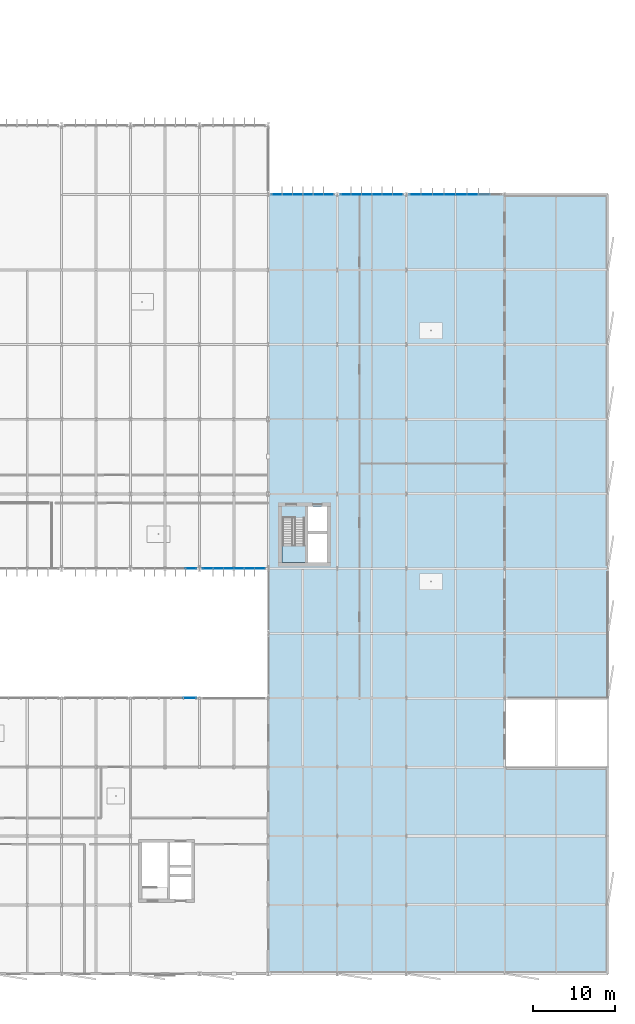
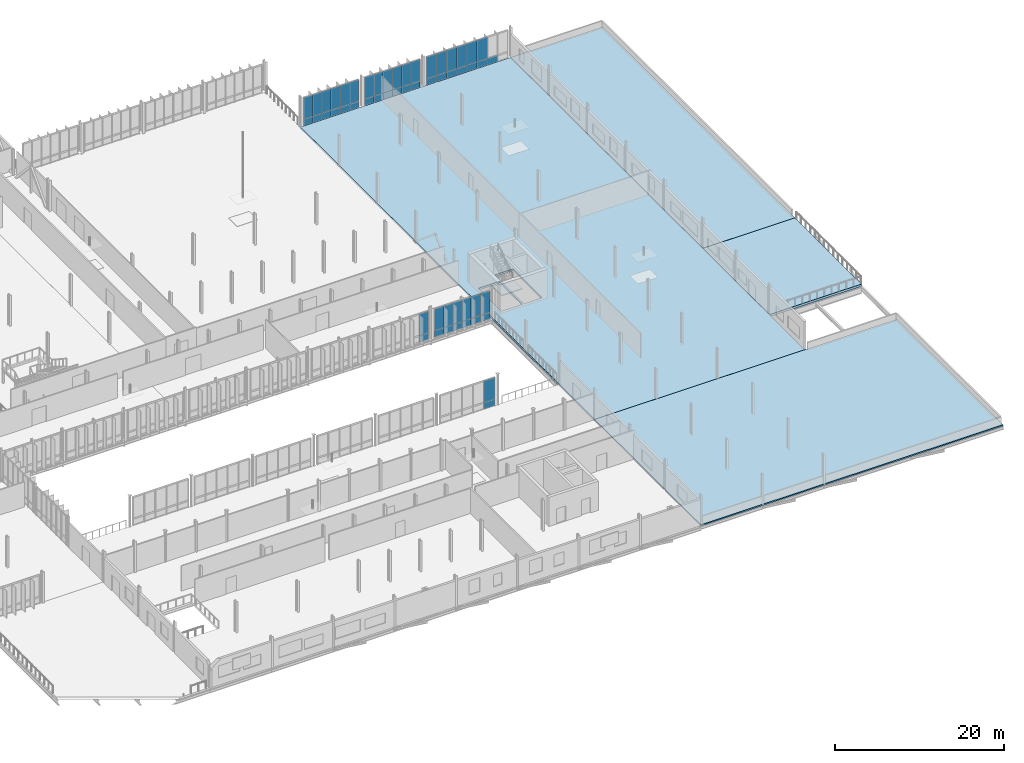
# One storey, part 94 of 139: 53 plates, 5 slabs, 8 elements without a shape of their own.
"""IFC4 building model written with IfcOpenShell, lengths in metres."""

from ifc_helpers import new_model, si_unit, derived_unit, direction, frame, origin, origin_2d, place, context, subcontext, project, spatial, polyline, rectangle, outline, extrude, material, layer, layer_set, type_object, element, aggregate, save


model = new_model("IFC4")

# Units and contexts
model_context = context("Model", 3, precision=1e-05, world=origin(), true_north=direction((0.0, 1.0)))
body_context = subcontext(model_context, "Body", "Model", "MODEL_VIEW")
ifc_project = project(units=[si_unit("LENGTHUNIT", "METRE"), si_unit("AREAUNIT", "SQUARE_METRE"), si_unit("VOLUMEUNIT", "CUBIC_METRE"), si_unit("PLANEANGLEUNIT", "RADIAN"), si_unit("MASSUNIT", "GRAM", prefix="KILO"), derived_unit("THERMALTRANSMITTANCEUNIT", [(si_unit("MASSUNIT", "GRAM", prefix="KILO"), 1), (si_unit("TIMEUNIT", "SECOND"), -3), (si_unit("THERMODYNAMICTEMPERATUREUNIT", "KELVIN"), -1)])], contexts=[model_context])

# Site, building, storey
site_placement = place(None, origin())
site = spatial("IfcSite", under=ifc_project, at=site_placement, CompositionType="ELEMENT")
building_placement = place(site_placement, origin())
building = spatial("IfcBuilding", under=site, at=building_placement, Name="Makaiwela Harbour Ferry Terminal", CompositionType="ELEMENT")
storey_placement = place(building_placement, frame((0.0, 0.0, 5.10009765625)))
storey = spatial("IfcBuildingStorey", under=building, at=storey_placement, Name="L01", CompositionType="ELEMENT", Elevation=5.10009765625)

# Curtain wall, plate
ifc_material_1 = material(Name="Marine anodised aluminium 6063-T6", Category="aluminium")
ifc_layer_1 = layer(ifc_material_1, 0.199951171875)
ifc_layer_set_1 = layer_set([ifc_layer_1], Name="Marine anodised aluminium 6063-T6")
curtain_wall_type_1 = type_object("IfcCurtainWallType", Name="ENV-CW-08", PredefinedType="USERDEFINED", material=ifc_layer_set_1)
curtain_wall_1_placement = place(storey_placement, origin())
curtain_wall_1 = element("IfcCurtainWall", 1, at=curtain_wall_1_placement, inside=storey, type_object=curtain_wall_type_1, Name="Unitised Curtain Wall CWA-092", ObjectType="UNITIZED CURTAIN WALL", PredefinedType="USERDEFINED")
ifc_material_2 = material(Name="Laminated hurricane-impact low-E insulated glazing", Category="glass")
ifc_layer_2 = layer(ifc_material_2, 0.031982421875)
ifc_layer_set_2 = layer_set([ifc_layer_2], Name="Laminated hurricane-impact low-E insulated glazing")
plate_type_1 = type_object("IfcPlateType", Name="CW-PNL-G12", PredefinedType="CURTAIN_PANEL", material=ifc_layer_set_2)
plate_1_placement = place(storey_placement, frame((129.14990234375, 49.39990234375, 0.949951171875), z_axis=(0.0, 0.0, 1.0), x_axis=(-1.0, 0.0, 0.0)))
plate_1 = element("IfcPlate", 2, at=plate_1_placement, type_object=plate_type_1, Name="Glazed Vision Panel CWA-092-1G", PredefinedType="CURTAIN_PANEL", context=body_context, shape_type="SweptSolid", body=[
    extrude(rectangle(XDim=1.260009765625, YDim=0.031982421875, at=origin_2d()), origin(), (0.0, 0.0, 1.0), 3.14990234375),
])

# Curtain wall, plates
curtain_wall_2_placement = place(storey_placement, origin())
curtain_wall_2 = element("IfcCurtainWall", 3, at=curtain_wall_2_placement, inside=storey, type_object=curtain_wall_type_1, Name="Unitised Curtain Wall CWA-095", ObjectType="UNITIZED CURTAIN WALL", PredefinedType="USERDEFINED")
plate_2_placement = place(storey_placement, frame((137.550048828125, 49.39990234375, 0.949951171875), z_axis=(0.0, 0.0, 1.0), x_axis=(-1.0, 0.0, 0.0)))
plate_2 = element("IfcPlate", 4, at=plate_2_placement, type_object=plate_type_1, Name="Glazed Vision Panel CWA-095-1G", PredefinedType="CURTAIN_PANEL", context=body_context, shape_type="SweptSolid", body=[
    extrude(rectangle(XDim=1.260009765625, YDim=0.031982421875, at=origin_2d()), origin(), (0.0, 0.0, 1.0), 3.14990234375),
])
plate_3_placement = place(storey_placement, frame((136.2900390625, 49.39990234375, 0.949951171875), z_axis=(0.0, 0.0, 1.0), x_axis=(-1.0, 0.0, 0.0)))
plate_3 = element("IfcPlate", 5, at=plate_3_placement, type_object=plate_type_1, Name="Glazed Vision Panel CWA-095-2G", PredefinedType="CURTAIN_PANEL", context=body_context, shape_type="SweptSolid", body=[
    extrude(rectangle(XDim=1.260009765625, YDim=0.031982421875, at=origin_2d()), origin(), (0.0, 0.0, 1.0), 3.14990234375),
])
plate_4_placement = place(storey_placement, frame((135.030029296875, 49.39990234375, 0.949951171875), z_axis=(0.0, 0.0, 1.0), x_axis=(-1.0, 0.0, 0.0)))
plate_4 = element("IfcPlate", 6, at=plate_4_placement, type_object=plate_type_1, Name="Glazed Vision Panel CWA-095-3G", PredefinedType="CURTAIN_PANEL", context=body_context, shape_type="SweptSolid", body=[
    extrude(rectangle(XDim=1.260009765625, YDim=0.031982421875, at=origin_2d()), origin(), (0.0, 0.0, 1.0), 3.14990234375),
])
plate_5_placement = place(storey_placement, frame((133.77001953125, 49.39990234375, 0.949951171875), z_axis=(0.0, 0.0, 1.0), x_axis=(-1.0, 0.0, 0.0)))
plate_5 = element("IfcPlate", 7, at=plate_5_placement, type_object=plate_type_1, Name="Glazed Vision Panel CWA-095-4G", PredefinedType="CURTAIN_PANEL", context=body_context, shape_type="SweptSolid", body=[
    extrude(rectangle(XDim=1.260009765625, YDim=0.031982421875, at=origin_2d()), origin(), (0.0, 0.0, 1.0), 3.14990234375),
])
plate_6_placement = place(storey_placement, frame((132.510009765625, 49.39990234375, 0.949951171875), z_axis=(0.0, 0.0, 1.0), x_axis=(-1.0, 0.0, 0.0)))
plate_6 = element("IfcPlate", 8, at=plate_6_placement, type_object=plate_type_1, Name="Glazed Vision Panel CWA-095-5G", PredefinedType="CURTAIN_PANEL", context=body_context, shape_type="SweptSolid", body=[
    extrude(rectangle(XDim=1.260009765625, YDim=0.031982421875, at=origin_2d()), origin(), (0.0, 0.0, 1.0), 3.14990234375),
])
plate_7_placement = place(storey_placement, frame((131.25, 49.39990234375, 0.949951171875), z_axis=(0.0, 0.0, 1.0), x_axis=(-1.0, 0.0, 0.0)))
plate_7 = element("IfcPlate", 9, at=plate_7_placement, type_object=plate_type_1, Name="Glazed Vision Panel CWA-095-6G", PredefinedType="CURTAIN_PANEL", context=body_context, shape_type="SweptSolid", body=[
    extrude(rectangle(XDim=1.260009765625, YDim=0.031982421875, at=origin_2d()), origin(), (0.0, 0.0, 1.0), 3.14990234375),
])

curtain_wall_3_placement = place(storey_placement, origin())
curtain_wall_3 = element("IfcCurtainWall", 10, at=curtain_wall_3_placement, inside=storey, type_object=curtain_wall_type_1, Name="Unitised Curtain Wall CWA-121", ObjectType="UNITIZED CURTAIN WALL", PredefinedType="USERDEFINED")
plate_8_placement = place(storey_placement, frame((139.64990234375, 95.0, 0.949951171875), z_axis=(0.0, 0.0, 1.0), x_axis=(1.0, 0.0, 0.0)))
plate_8 = element("IfcPlate", 11, at=plate_8_placement, type_object=plate_type_1, Name="Glazed Vision Panel CWA-121-1G", PredefinedType="CURTAIN_PANEL", context=body_context, shape_type="SweptSolid", body=[
    extrude(rectangle(XDim=1.260009765625, YDim=0.031982421875, at=origin_2d()), origin(), (0.0, 0.0, 1.0), 3.14990234375),
])
plate_9_placement = place(storey_placement, frame((140.909912109375, 95.0, 0.949951171875), z_axis=(0.0, 0.0, 1.0), x_axis=(1.0, 0.0, 0.0)))
plate_9 = element("IfcPlate", 12, at=plate_9_placement, type_object=plate_type_1, Name="Glazed Vision Panel CWA-121-2G", PredefinedType="CURTAIN_PANEL", context=body_context, shape_type="SweptSolid", body=[
    extrude(rectangle(XDim=1.260009765625, YDim=0.031982421875, at=origin_2d()), origin(), (0.0, 0.0, 1.0), 3.14990234375),
])
plate_10_placement = place(storey_placement, frame((142.169921875, 95.0, 0.949951171875), z_axis=(0.0, 0.0, 1.0), x_axis=(1.0, 0.0, 0.0)))
plate_10 = element("IfcPlate", 13, at=plate_10_placement, type_object=plate_type_1, Name="Glazed Vision Panel CWA-121-3G", PredefinedType="CURTAIN_PANEL", context=body_context, shape_type="SweptSolid", body=[
    extrude(rectangle(XDim=1.260009765625, YDim=0.031982421875, at=origin_2d()), origin(), (0.0, 0.0, 1.0), 3.14990234375),
])
plate_11_placement = place(storey_placement, frame((143.429931640625, 95.0, 0.949951171875), z_axis=(0.0, 0.0, 1.0), x_axis=(1.0, 0.0, 0.0)))
plate_11 = element("IfcPlate", 14, at=plate_11_placement, type_object=plate_type_1, Name="Glazed Vision Panel CWA-121-4G", PredefinedType="CURTAIN_PANEL", context=body_context, shape_type="SweptSolid", body=[
    extrude(rectangle(XDim=1.260009765625, YDim=0.031982421875, at=origin_2d()), origin(), (0.0, 0.0, 1.0), 3.14990234375),
])
plate_12_placement = place(storey_placement, frame((144.68994140625, 95.0, 0.949951171875), z_axis=(0.0, 0.0, 1.0), x_axis=(1.0, 0.0, 0.0)))
plate_12 = element("IfcPlate", 15, at=plate_12_placement, type_object=plate_type_1, Name="Glazed Vision Panel CWA-121-5G", PredefinedType="CURTAIN_PANEL", context=body_context, shape_type="SweptSolid", body=[
    extrude(rectangle(XDim=1.260009765625, YDim=0.031982421875, at=origin_2d()), origin(), (0.0, 0.0, 1.0), 3.14990234375),
])
plate_13_placement = place(storey_placement, frame((145.949951171875, 95.0, 0.949951171875), z_axis=(0.0, 0.0, 1.0), x_axis=(1.0, 0.0, 0.0)))
plate_13 = element("IfcPlate", 16, at=plate_13_placement, type_object=plate_type_1, Name="Glazed Vision Panel CWA-121-6G", PredefinedType="CURTAIN_PANEL", context=body_context, shape_type="SweptSolid", body=[
    extrude(rectangle(XDim=1.260009765625, YDim=0.031982421875, at=origin_2d()), origin(), (0.0, 0.0, 1.0), 3.14990234375),
])

curtain_wall_4_placement = place(storey_placement, origin())
curtain_wall_4 = element("IfcCurtainWall", 17, at=curtain_wall_4_placement, inside=storey, type_object=curtain_wall_type_1, Name="Unitised Curtain Wall CWA-125", ObjectType="UNITIZED CURTAIN WALL", PredefinedType="USERDEFINED")
plate_14_placement = place(storey_placement, frame((148.050048828125, 95.0, 0.949951171875), z_axis=(0.0, 0.0, 1.0), x_axis=(1.0, 0.0, 0.0)))
plate_14 = element("IfcPlate", 18, at=plate_14_placement, type_object=plate_type_1, Name="Glazed Vision Panel CWA-125-1G", PredefinedType="CURTAIN_PANEL", context=body_context, shape_type="SweptSolid", body=[
    extrude(rectangle(XDim=1.260009765625, YDim=0.031982421875, at=origin_2d()), origin(), (0.0, 0.0, 1.0), 3.14990234375),
])
plate_15_placement = place(storey_placement, frame((149.31005859375, 95.0, 0.949951171875), z_axis=(0.0, 0.0, 1.0), x_axis=(1.0, 0.0, 0.0)))
plate_15 = element("IfcPlate", 19, at=plate_15_placement, type_object=plate_type_1, Name="Glazed Vision Panel CWA-125-2G", PredefinedType="CURTAIN_PANEL", context=body_context, shape_type="SweptSolid", body=[
    extrude(rectangle(XDim=1.260009765625, YDim=0.031982421875, at=origin_2d()), origin(), (0.0, 0.0, 1.0), 3.14990234375),
])
plate_16_placement = place(storey_placement, frame((150.570068359375, 95.0, 0.949951171875), z_axis=(0.0, 0.0, 1.0), x_axis=(1.0, 0.0, 0.0)))
plate_16 = element("IfcPlate", 20, at=plate_16_placement, type_object=plate_type_1, Name="Glazed Vision Panel CWA-125-3G", PredefinedType="CURTAIN_PANEL", context=body_context, shape_type="SweptSolid", body=[
    extrude(rectangle(XDim=1.260009765625, YDim=0.031982421875, at=origin_2d()), origin(), (0.0, 0.0, 1.0), 3.14990234375),
])
plate_17_placement = place(storey_placement, frame((151.830078125, 95.0, 0.949951171875), z_axis=(0.0, 0.0, 1.0), x_axis=(1.0, 0.0, 0.0)))
plate_17 = element("IfcPlate", 21, at=plate_17_placement, type_object=plate_type_1, Name="Glazed Vision Panel CWA-125-4G", PredefinedType="CURTAIN_PANEL", context=body_context, shape_type="SweptSolid", body=[
    extrude(rectangle(XDim=1.260009765625, YDim=0.031982421875, at=origin_2d()), origin(), (0.0, 0.0, 1.0), 3.14990234375),
])
plate_18_placement = place(storey_placement, frame((153.090087890625, 95.0, 0.949951171875), z_axis=(0.0, 0.0, 1.0), x_axis=(1.0, 0.0, 0.0)))
plate_18 = element("IfcPlate", 22, at=plate_18_placement, type_object=plate_type_1, Name="Glazed Vision Panel CWA-125-5G", PredefinedType="CURTAIN_PANEL", context=body_context, shape_type="SweptSolid", body=[
    extrude(rectangle(XDim=1.260009765625, YDim=0.031982421875, at=origin_2d()), origin(), (0.0, 0.0, 1.0), 3.14990234375),
])
plate_19_placement = place(storey_placement, frame((154.35009765625, 95.0, 0.949951171875), z_axis=(0.0, 0.0, 1.0), x_axis=(1.0, 0.0, 0.0)))
plate_19 = element("IfcPlate", 23, at=plate_19_placement, type_object=plate_type_1, Name="Glazed Vision Panel CWA-125-6G", PredefinedType="CURTAIN_PANEL", context=body_context, shape_type="SweptSolid", body=[
    extrude(rectangle(XDim=1.260009765625, YDim=0.031982421875, at=origin_2d()), origin(), (0.0, 0.0, 1.0), 3.14990234375),
])

ifc_layer_3 = layer(ifc_material_1, 0.199951171875)
ifc_layer_set_3 = layer_set([ifc_layer_3], Name="Marine anodised aluminium 6063-T6")
curtain_wall_type_2 = type_object("IfcCurtainWallType", Name="ENV-CW-17", PredefinedType="USERDEFINED", material=ifc_layer_set_3)
curtain_wall_5_placement = place(storey_placement, origin())
curtain_wall_5 = element("IfcCurtainWall", 24, at=curtain_wall_5_placement, inside=storey, type_object=curtain_wall_type_2, Name="Unitised Curtain Wall CWA-129", ObjectType="UNITIZED CURTAIN WALL", PredefinedType="USERDEFINED")
ifc_layer_4 = layer(ifc_material_2, 0.031982421875)
ifc_layer_set_4 = layer_set([ifc_layer_4], Name="Laminated hurricane-impact low-E insulated glazing")
plate_type_2 = type_object("IfcPlateType", Name="CW-PNL-G23", PredefinedType="CURTAIN_PANEL", material=ifc_layer_set_4)
plate_20_placement = place(storey_placement, frame((156.517578125, 95.0, 0.949951171875), z_axis=(0.0, 0.0, 1.0), x_axis=(1.0, 0.0, 0.0)))
plate_20 = element("IfcPlate", 25, at=plate_20_placement, type_object=plate_type_2, Name="Glazed Vision Panel CWA-129-1G", PredefinedType="CURTAIN_PANEL", context=body_context, shape_type="SweptSolid", body=[
    extrude(rectangle(XDim=1.39501953125, YDim=0.031982421875, at=origin_2d()), origin(), (0.0, 0.0, 1.0), 3.14990234375),
])
plate_21_placement = place(storey_placement, frame((157.91259765625, 95.0, 0.949951171875), z_axis=(0.0, 0.0, 1.0), x_axis=(1.0, 0.0, 0.0)))
plate_21 = element("IfcPlate", 26, at=plate_21_placement, type_object=plate_type_2, Name="Glazed Vision Panel CWA-129-2G", PredefinedType="CURTAIN_PANEL", context=body_context, shape_type="SweptSolid", body=[
    extrude(rectangle(XDim=1.39501953125, YDim=0.031982421875, at=origin_2d()), origin(), (0.0, 0.0, 1.0), 3.14990234375),
])
plate_22_placement = place(storey_placement, frame((159.3076171875, 95.0, 0.949951171875), z_axis=(0.0, 0.0, 1.0), x_axis=(1.0, 0.0, 0.0)))
plate_22 = element("IfcPlate", 27, at=plate_22_placement, type_object=plate_type_2, Name="Glazed Vision Panel CWA-129-3G", PredefinedType="CURTAIN_PANEL", context=body_context, shape_type="SweptSolid", body=[
    extrude(rectangle(XDim=1.39501953125, YDim=0.031982421875, at=origin_2d()), origin(), (0.0, 0.0, 1.0), 3.14990234375),
])
plate_23_placement = place(storey_placement, frame((160.702392578125, 95.0, 0.949951171875), z_axis=(0.0, 0.0, 1.0), x_axis=(1.0, 0.0, 0.0)))
plate_23 = element("IfcPlate", 28, at=plate_23_placement, type_object=plate_type_2, Name="Glazed Vision Panel CWA-129-4G", PredefinedType="CURTAIN_PANEL", context=body_context, shape_type="SweptSolid", body=[
    extrude(rectangle(XDim=1.39501953125, YDim=0.031982421875, at=origin_2d()), origin(), (0.0, 0.0, 1.0), 3.14990234375),
])
plate_24_placement = place(storey_placement, frame((162.097412109375, 95.0, 0.949951171875), z_axis=(0.0, 0.0, 1.0), x_axis=(1.0, 0.0, 0.0)))
plate_24 = element("IfcPlate", 29, at=plate_24_placement, type_object=plate_type_2, Name="Glazed Vision Panel CWA-129-5G", PredefinedType="CURTAIN_PANEL", context=body_context, shape_type="SweptSolid", body=[
    extrude(rectangle(XDim=1.39501953125, YDim=0.031982421875, at=origin_2d()), origin(), (0.0, 0.0, 1.0), 3.14990234375),
])
plate_25_placement = place(storey_placement, frame((163.492431640625, 95.0, 0.949951171875), z_axis=(0.0, 0.0, 1.0), x_axis=(1.0, 0.0, 0.0)))
plate_25 = element("IfcPlate", 30, at=plate_25_placement, type_object=plate_type_2, Name="Glazed Vision Panel CWA-129-6G", PredefinedType="CURTAIN_PANEL", context=body_context, shape_type="SweptSolid", body=[
    extrude(rectangle(XDim=1.39501953125, YDim=0.031982421875, at=origin_2d()), origin(), (0.0, 0.0, 1.0), 3.14990234375),
])

# Curtain wall, plate
curtain_wall_6_placement = place(storey_placement, origin())
curtain_wall_6 = element("IfcCurtainWall", 31, at=curtain_wall_6_placement, inside=storey, type_object=curtain_wall_type_1, Name="Unitised Curtain Wall CWA-151", ObjectType="UNITIZED CURTAIN WALL", PredefinedType="USERDEFINED")
ifc_layer_5 = layer(ifc_material_2, 0.031982421875)
ifc_layer_set_5 = layer_set([ifc_layer_5], Name="Laminated hurricane-impact low-E insulated glazing")
plate_type_3 = type_object("IfcPlateType", Name="CW-PNL-G32", PredefinedType="CURTAIN_PANEL", material=ifc_layer_set_5)
plate_26_placement = place(storey_placement, frame((129.02392578125, 33.60009765625, 0.949951171875), z_axis=(0.0, 0.0, 1.0), x_axis=(-1.0, 0.0, 0.0)))
plate_26 = element("IfcPlate", 32, at=plate_26_placement, type_object=plate_type_3, Name="Glazed Vision Panel CWA-151-1G", PredefinedType="CURTAIN_PANEL", context=body_context, shape_type="SweptSolid", body=[
    extrude(rectangle(XDim=1.511962890625, YDim=0.031982421875, at=origin_2d()), origin(), (0.0, 0.0, 1.0), 3.14990234375),
])

# Plate
ifc_material_3 = material(Name="Insulated marine aluminium spandrel panel", Category="aluminium")
ifc_layer_6 = layer(ifc_material_3, 0.048095703125)
ifc_layer_set_6 = layer_set([ifc_layer_6], Name="Insulated marine aluminium spandrel panel")
plate_type_4 = type_object("IfcPlateType", Name="CW-PNL-S11", PredefinedType="CURTAIN_PANEL", material=ifc_layer_set_6)
plate_27_placement = place(storey_placement, frame((129.14990234375, 49.39990234375, 0.0), z_axis=(0.0, 0.0, 1.0), x_axis=(-1.0, 0.0, 0.0)))
plate_27 = element("IfcPlate", 33, at=plate_27_placement, type_object=plate_type_4, Name="Spandrel Panel CWA-092-1S", PredefinedType="CURTAIN_PANEL", context=body_context, shape_type="SweptSolid", body=[
    extrude(rectangle(XDim=1.260009765625, YDim=0.048095703125, at=origin_2d()), origin(), (0.0, 0.0, 1.0), 0.949951171875),
])

aggregate(curtain_wall_1, [plate_27, plate_1])

plate_28_placement = place(storey_placement, frame((137.550048828125, 49.39990234375, 0.0), z_axis=(0.0, 0.0, 1.0), x_axis=(-1.0, 0.0, 0.0)))
plate_28 = element("IfcPlate", 34, at=plate_28_placement, type_object=plate_type_4, Name="Spandrel Panel CWA-095-1S", PredefinedType="CURTAIN_PANEL", context=body_context, shape_type="SweptSolid", body=[
    extrude(rectangle(XDim=1.260009765625, YDim=0.048095703125, at=origin_2d()), origin(), (0.0, 0.0, 1.0), 0.949951171875),
])

plate_29_placement = place(storey_placement, frame((136.2900390625, 49.39990234375, 0.0), z_axis=(0.0, 0.0, 1.0), x_axis=(-1.0, 0.0, 0.0)))
plate_29 = element("IfcPlate", 35, at=plate_29_placement, type_object=plate_type_4, Name="Spandrel Panel CWA-095-2S", PredefinedType="CURTAIN_PANEL", context=body_context, shape_type="SweptSolid", body=[
    extrude(rectangle(XDim=1.260009765625, YDim=0.048095703125, at=origin_2d()), origin(), (0.0, 0.0, 1.0), 0.949951171875),
])

plate_30_placement = place(storey_placement, frame((135.030029296875, 49.39990234375, 0.0), z_axis=(0.0, 0.0, 1.0), x_axis=(-1.0, 0.0, 0.0)))
plate_30 = element("IfcPlate", 36, at=plate_30_placement, type_object=plate_type_4, Name="Spandrel Panel CWA-095-3S", PredefinedType="CURTAIN_PANEL", context=body_context, shape_type="SweptSolid", body=[
    extrude(rectangle(XDim=1.260009765625, YDim=0.048095703125, at=origin_2d()), origin(), (0.0, 0.0, 1.0), 0.949951171875),
])

plate_31_placement = place(storey_placement, frame((133.77001953125, 49.39990234375, 0.0), z_axis=(0.0, 0.0, 1.0), x_axis=(-1.0, 0.0, 0.0)))
plate_31 = element("IfcPlate", 37, at=plate_31_placement, type_object=plate_type_4, Name="Spandrel Panel CWA-095-4S", PredefinedType="CURTAIN_PANEL", context=body_context, shape_type="SweptSolid", body=[
    extrude(rectangle(XDim=1.260009765625, YDim=0.048095703125, at=origin_2d()), origin(), (0.0, 0.0, 1.0), 0.949951171875),
])

plate_32_placement = place(storey_placement, frame((132.510009765625, 49.39990234375, 0.0), z_axis=(0.0, 0.0, 1.0), x_axis=(-1.0, 0.0, 0.0)))
plate_32 = element("IfcPlate", 38, at=plate_32_placement, type_object=plate_type_4, Name="Spandrel Panel CWA-095-5S", PredefinedType="CURTAIN_PANEL", context=body_context, shape_type="SweptSolid", body=[
    extrude(rectangle(XDim=1.260009765625, YDim=0.048095703125, at=origin_2d()), origin(), (0.0, 0.0, 1.0), 0.949951171875),
])

plate_33_placement = place(storey_placement, frame((131.25, 49.39990234375, 0.0), z_axis=(0.0, 0.0, 1.0), x_axis=(-1.0, 0.0, 0.0)))
plate_33 = element("IfcPlate", 39, at=plate_33_placement, type_object=plate_type_4, Name="Spandrel Panel CWA-095-6S", PredefinedType="CURTAIN_PANEL", context=body_context, shape_type="SweptSolid", body=[
    extrude(rectangle(XDim=1.260009765625, YDim=0.048095703125, at=origin_2d()), origin(), (0.0, 0.0, 1.0), 0.949951171875),
])

aggregate(curtain_wall_2, [plate_28, plate_2, plate_29, plate_3, plate_30, plate_4, plate_31, plate_5, plate_32, plate_6, plate_33, plate_7])

plate_34_placement = place(storey_placement, frame((139.64990234375, 95.0, 0.0), z_axis=(0.0, 0.0, 1.0), x_axis=(1.0, 0.0, 0.0)))
plate_34 = element("IfcPlate", 40, at=plate_34_placement, type_object=plate_type_4, Name="Spandrel Panel CWA-121-1S", PredefinedType="CURTAIN_PANEL", context=body_context, shape_type="SweptSolid", body=[
    extrude(rectangle(XDim=1.260009765625, YDim=0.048095703125, at=origin_2d()), origin(), (0.0, 0.0, 1.0), 0.949951171875),
])

plate_35_placement = place(storey_placement, frame((140.909912109375, 95.0, 0.0), z_axis=(0.0, 0.0, 1.0), x_axis=(1.0, 0.0, 0.0)))
plate_35 = element("IfcPlate", 41, at=plate_35_placement, type_object=plate_type_4, Name="Spandrel Panel CWA-121-2S", PredefinedType="CURTAIN_PANEL", context=body_context, shape_type="SweptSolid", body=[
    extrude(rectangle(XDim=1.260009765625, YDim=0.048095703125, at=origin_2d()), origin(), (0.0, 0.0, 1.0), 0.949951171875),
])

plate_36_placement = place(storey_placement, frame((142.169921875, 95.0, 0.0), z_axis=(0.0, 0.0, 1.0), x_axis=(1.0, 0.0, 0.0)))
plate_36 = element("IfcPlate", 42, at=plate_36_placement, type_object=plate_type_4, Name="Spandrel Panel CWA-121-3S", PredefinedType="CURTAIN_PANEL", context=body_context, shape_type="SweptSolid", body=[
    extrude(rectangle(XDim=1.260009765625, YDim=0.048095703125, at=origin_2d()), origin(), (0.0, 0.0, 1.0), 0.949951171875),
])

plate_37_placement = place(storey_placement, frame((143.429931640625, 95.0, 0.0), z_axis=(0.0, 0.0, 1.0), x_axis=(1.0, 0.0, 0.0)))
plate_37 = element("IfcPlate", 43, at=plate_37_placement, type_object=plate_type_4, Name="Spandrel Panel CWA-121-4S", PredefinedType="CURTAIN_PANEL", context=body_context, shape_type="SweptSolid", body=[
    extrude(rectangle(XDim=1.260009765625, YDim=0.048095703125, at=origin_2d()), origin(), (0.0, 0.0, 1.0), 0.949951171875),
])

plate_38_placement = place(storey_placement, frame((144.68994140625, 95.0, 0.0), z_axis=(0.0, 0.0, 1.0), x_axis=(1.0, 0.0, 0.0)))
plate_38 = element("IfcPlate", 44, at=plate_38_placement, type_object=plate_type_4, Name="Spandrel Panel CWA-121-5S", PredefinedType="CURTAIN_PANEL", context=body_context, shape_type="SweptSolid", body=[
    extrude(rectangle(XDim=1.260009765625, YDim=0.048095703125, at=origin_2d()), origin(), (0.0, 0.0, 1.0), 0.949951171875),
])

plate_39_placement = place(storey_placement, frame((145.949951171875, 95.0, 0.0), z_axis=(0.0, 0.0, 1.0), x_axis=(1.0, 0.0, 0.0)))
plate_39 = element("IfcPlate", 45, at=plate_39_placement, type_object=plate_type_4, Name="Spandrel Panel CWA-121-6S", PredefinedType="CURTAIN_PANEL", context=body_context, shape_type="SweptSolid", body=[
    extrude(rectangle(XDim=1.260009765625, YDim=0.048095703125, at=origin_2d()), origin(), (0.0, 0.0, 1.0), 0.949951171875),
])

aggregate(curtain_wall_3, [plate_34, plate_8, plate_35, plate_9, plate_36, plate_10, plate_37, plate_11, plate_38, plate_12, plate_39, plate_13])

plate_40_placement = place(storey_placement, frame((148.050048828125, 95.0, 0.0), z_axis=(0.0, 0.0, 1.0), x_axis=(1.0, 0.0, 0.0)))
plate_40 = element("IfcPlate", 46, at=plate_40_placement, type_object=plate_type_4, Name="Spandrel Panel CWA-125-1S", PredefinedType="CURTAIN_PANEL", context=body_context, shape_type="SweptSolid", body=[
    extrude(rectangle(XDim=1.260009765625, YDim=0.048095703125, at=origin_2d()), origin(), (0.0, 0.0, 1.0), 0.949951171875),
])

plate_41_placement = place(storey_placement, frame((149.31005859375, 95.0, 0.0), z_axis=(0.0, 0.0, 1.0), x_axis=(1.0, 0.0, 0.0)))
plate_41 = element("IfcPlate", 47, at=plate_41_placement, type_object=plate_type_4, Name="Spandrel Panel CWA-125-2S", PredefinedType="CURTAIN_PANEL", context=body_context, shape_type="SweptSolid", body=[
    extrude(rectangle(XDim=1.260009765625, YDim=0.048095703125, at=origin_2d()), origin(), (0.0, 0.0, 1.0), 0.949951171875),
])

plate_42_placement = place(storey_placement, frame((150.570068359375, 95.0, 0.0), z_axis=(0.0, 0.0, 1.0), x_axis=(1.0, 0.0, 0.0)))
plate_42 = element("IfcPlate", 48, at=plate_42_placement, type_object=plate_type_4, Name="Spandrel Panel CWA-125-3S", PredefinedType="CURTAIN_PANEL", context=body_context, shape_type="SweptSolid", body=[
    extrude(rectangle(XDim=1.260009765625, YDim=0.048095703125, at=origin_2d()), origin(), (0.0, 0.0, 1.0), 0.949951171875),
])

plate_43_placement = place(storey_placement, frame((151.830078125, 95.0, 0.0), z_axis=(0.0, 0.0, 1.0), x_axis=(1.0, 0.0, 0.0)))
plate_43 = element("IfcPlate", 49, at=plate_43_placement, type_object=plate_type_4, Name="Spandrel Panel CWA-125-4S", PredefinedType="CURTAIN_PANEL", context=body_context, shape_type="SweptSolid", body=[
    extrude(rectangle(XDim=1.260009765625, YDim=0.048095703125, at=origin_2d()), origin(), (0.0, 0.0, 1.0), 0.949951171875),
])

plate_44_placement = place(storey_placement, frame((153.090087890625, 95.0, 0.0), z_axis=(0.0, 0.0, 1.0), x_axis=(1.0, 0.0, 0.0)))
plate_44 = element("IfcPlate", 50, at=plate_44_placement, type_object=plate_type_4, Name="Spandrel Panel CWA-125-5S", PredefinedType="CURTAIN_PANEL", context=body_context, shape_type="SweptSolid", body=[
    extrude(rectangle(XDim=1.260009765625, YDim=0.048095703125, at=origin_2d()), origin(), (0.0, 0.0, 1.0), 0.949951171875),
])

plate_45_placement = place(storey_placement, frame((154.35009765625, 95.0, 0.0), z_axis=(0.0, 0.0, 1.0), x_axis=(1.0, 0.0, 0.0)))
plate_45 = element("IfcPlate", 51, at=plate_45_placement, type_object=plate_type_4, Name="Spandrel Panel CWA-125-6S", PredefinedType="CURTAIN_PANEL", context=body_context, shape_type="SweptSolid", body=[
    extrude(rectangle(XDim=1.260009765625, YDim=0.048095703125, at=origin_2d()), origin(), (0.0, 0.0, 1.0), 0.949951171875),
])

aggregate(curtain_wall_4, [plate_40, plate_14, plate_41, plate_15, plate_42, plate_16, plate_43, plate_17, plate_44, plate_18, plate_45, plate_19])

ifc_layer_7 = layer(ifc_material_3, 0.048095703125)
ifc_layer_set_7 = layer_set([ifc_layer_7], Name="Insulated marine aluminium spandrel panel")
plate_type_5 = type_object("IfcPlateType", Name="CW-PNL-S21", PredefinedType="CURTAIN_PANEL", material=ifc_layer_set_7)
plate_46_placement = place(storey_placement, frame((156.517578125, 95.0, 0.0), z_axis=(0.0, 0.0, 1.0), x_axis=(1.0, 0.0, 0.0)))
plate_46 = element("IfcPlate", 52, at=plate_46_placement, type_object=plate_type_5, Name="Spandrel Panel CWA-129-1S", PredefinedType="CURTAIN_PANEL", context=body_context, shape_type="SweptSolid", body=[
    extrude(rectangle(XDim=1.39501953125, YDim=0.048095703125, at=origin_2d()), origin(), (0.0, 0.0, 1.0), 0.949951171875),
])

plate_47_placement = place(storey_placement, frame((157.91259765625, 95.0, 0.0), z_axis=(0.0, 0.0, 1.0), x_axis=(1.0, 0.0, 0.0)))
plate_47 = element("IfcPlate", 53, at=plate_47_placement, type_object=plate_type_5, Name="Spandrel Panel CWA-129-2S", PredefinedType="CURTAIN_PANEL", context=body_context, shape_type="SweptSolid", body=[
    extrude(rectangle(XDim=1.39501953125, YDim=0.048095703125, at=origin_2d()), origin(), (0.0, 0.0, 1.0), 0.949951171875),
])

plate_48_placement = place(storey_placement, frame((159.3076171875, 95.0, 0.0), z_axis=(0.0, 0.0, 1.0), x_axis=(1.0, 0.0, 0.0)))
plate_48 = element("IfcPlate", 54, at=plate_48_placement, type_object=plate_type_5, Name="Spandrel Panel CWA-129-3S", PredefinedType="CURTAIN_PANEL", context=body_context, shape_type="SweptSolid", body=[
    extrude(rectangle(XDim=1.39501953125, YDim=0.048095703125, at=origin_2d()), origin(), (0.0, 0.0, 1.0), 0.949951171875),
])

plate_49_placement = place(storey_placement, frame((160.702392578125, 95.0, 0.0), z_axis=(0.0, 0.0, 1.0), x_axis=(1.0, 0.0, 0.0)))
plate_49 = element("IfcPlate", 55, at=plate_49_placement, type_object=plate_type_5, Name="Spandrel Panel CWA-129-4S", PredefinedType="CURTAIN_PANEL", context=body_context, shape_type="SweptSolid", body=[
    extrude(rectangle(XDim=1.39501953125, YDim=0.048095703125, at=origin_2d()), origin(), (0.0, 0.0, 1.0), 0.949951171875),
])

plate_50_placement = place(storey_placement, frame((162.097412109375, 95.0, 0.0), z_axis=(0.0, 0.0, 1.0), x_axis=(1.0, 0.0, 0.0)))
plate_50 = element("IfcPlate", 56, at=plate_50_placement, type_object=plate_type_5, Name="Spandrel Panel CWA-129-5S", PredefinedType="CURTAIN_PANEL", context=body_context, shape_type="SweptSolid", body=[
    extrude(rectangle(XDim=1.39501953125, YDim=0.048095703125, at=origin_2d()), origin(), (0.0, 0.0, 1.0), 0.949951171875),
])

plate_51_placement = place(storey_placement, frame((163.492431640625, 95.0, 0.0), z_axis=(0.0, 0.0, 1.0), x_axis=(1.0, 0.0, 0.0)))
plate_51 = element("IfcPlate", 57, at=plate_51_placement, type_object=plate_type_5, Name="Spandrel Panel CWA-129-6S", PredefinedType="CURTAIN_PANEL", context=body_context, shape_type="SweptSolid", body=[
    extrude(rectangle(XDim=1.39501953125, YDim=0.048095703125, at=origin_2d()), origin(), (0.0, 0.0, 1.0), 0.949951171875),
])

plate_52_placement = place(storey_placement, frame((164.887451171875, 95.0, 0.0), z_axis=(0.0, 0.0, 1.0), x_axis=(1.0, 0.0, 0.0)))
plate_52 = element("IfcPlate", 58, at=plate_52_placement, type_object=plate_type_5, Name="Spandrel Panel CWA-129-7S", PredefinedType="CURTAIN_PANEL", context=body_context, shape_type="SweptSolid", body=[
    extrude(rectangle(XDim=1.39501953125, YDim=0.048095703125, at=origin_2d()), origin(), (0.0, 0.0, 1.0), 0.949951171875),
])

aggregate(curtain_wall_5, [plate_46, plate_20, plate_47, plate_21, plate_48, plate_22, plate_49, plate_23, plate_50, plate_24, plate_51, plate_25, plate_52])

ifc_layer_8 = layer(ifc_material_3, 0.048095703125)
ifc_layer_set_8 = layer_set([ifc_layer_8], Name="Insulated marine aluminium spandrel panel")
plate_type_6 = type_object("IfcPlateType", Name="CW-PNL-S30", PredefinedType="CURTAIN_PANEL", material=ifc_layer_set_8)
plate_53_placement = place(storey_placement, frame((129.02392578125, 33.60009765625, 0.0), z_axis=(0.0, 0.0, 1.0), x_axis=(-1.0, 0.0, 0.0)))
plate_53 = element("IfcPlate", 59, at=plate_53_placement, type_object=plate_type_6, Name="Spandrel Panel CWA-151-1S", PredefinedType="CURTAIN_PANEL", context=body_context, shape_type="SweptSolid", body=[
    extrude(rectangle(XDim=1.511962890625, YDim=0.048095703125, at=origin_2d()), origin(), (0.0, 0.0, 1.0), 0.949951171875),
])

aggregate(curtain_wall_6, [plate_53, plate_26])

# Slab
ifc_material_4 = material(Name="Concrete f'c 35 MPa (5000 psi)", Category="concrete")
ifc_layer_9 = layer(ifc_material_4, 0.280029296875)
ifc_layer_set_9 = layer_set([ifc_layer_9], Name="Concrete f'c 35 MPa (5000 psi)")
slab_type_1 = type_object("IfcSlabType", Name="SLB-FLR-280", PredefinedType="FLOOR", material=ifc_layer_set_9)
slab_1_placement = place(storey_placement, frame((0.0, 0.0, -0.280029296875)))
element("IfcSlab", 60, at=slab_1_placement, inside=storey, type_object=slab_type_1, Name="Slab SLB-021", PredefinedType="FLOOR", context=body_context, shape_type="SweptSolid", body=[
    extrude(outline(polyline([(138.60205078125, 95.0), (138.60009765625, 49.39794921875), (138.60205078125, 25.199951171875), (167.39990234375, 25.199951171875), (167.39990234375, 95.0), (138.60205078125, 95.0)]), holes=[polyline([(140.219970703125, 50.1201171875), (140.219970703125, 55.56005859375), (143.110107421875, 55.56005859375), (143.110107421875, 50.1201171875), (140.219970703125, 50.1201171875)]), polyline([(143.320068359375, 50.1201171875), (143.320068359375, 56.97998046875), (145.780029296875, 56.97998046875), (145.780029296875, 50.1201171875), (143.320068359375, 50.1201171875)])]), origin(), (0.0, 0.0, 1.0), 0.280029296875),
])

# Stair, slab
stair_type = type_object("IfcStairType", Name="CIR-STR-A06", PredefinedType="HALF_TURN_STAIR", material=ifc_material_4)
stair_placement = place(storey_placement, origin())
stair = element("IfcStair", 61, at=stair_placement, inside=storey, type_object=stair_type, Name="Stair ST-05-L01", PredefinedType="HALF_TURN_STAIR")
ifc_layer_10 = layer(ifc_material_4, 0.14990234375)
ifc_layer_set_10 = layer_set([ifc_layer_10], Name="Concrete f'c 35 MPa (5000 psi)")
slab_type_2 = type_object("IfcSlabType", Name="SLB-LND-150", PredefinedType="LANDING", material=ifc_layer_set_10)
slab_2_placement = place(storey_placement, frame((0.0, 0.0, 2.099853515625)))
slab_2 = element("IfcSlab", 62, at=slab_2_placement, type_object=slab_type_2, Name="Stair Half Landing LND-20", PredefinedType="LANDING", context=body_context, shape_type="SweptSolid", body=[
    extrude(outline(polyline([(140.235107421875, 50.135009765625), (143.094970703125, 50.135009765625), (143.094970703125, 52.22998046875), (140.235107421875, 52.22998046875), (140.235107421875, 50.135009765625)])), origin(), (0.0, 0.0, 1.0), 0.150146484375),
])
aggregate(stair, [slab_2])

# Slab
ifc_layer_11 = layer(ifc_material_4, 0.340087890625)
ifc_layer_set_11 = layer_set([ifc_layer_11], Name="Concrete f'c 35 MPa (5000 psi)")
slab_type_3 = type_object("IfcSlabType", Name="SLB-QUAY-340", PredefinedType="FLOOR", material=ifc_layer_set_11)
slab_3_placement = place(storey_placement, frame((0.0, 0.0, -0.340087890625)))
element("IfcSlab", 63, at=slab_3_placement, inside=storey, type_object=slab_type_3, Name="Slab SLB-022", PredefinedType="FLOOR", context=body_context, shape_type="SweptSolid", body=[
    extrude(outline(polyline([(167.402099609375, 49.39990234375), (167.402099609375, 33.60009765625), (180.0, 33.60009765625), (180.0, 49.39990234375), (167.402099609375, 49.39990234375)])), origin(), (0.0, 0.0, 1.0), 0.340087890625),
])

# Roof, slabs
ifc_material_5 = material(Name="Standing-seam marine zinc roofing", Category="aluminium")
ifc_layer_12 = layer(ifc_material_5, 0.219970703125)
ifc_layer_set_12 = layer_set([ifc_layer_12], Name="Standing-seam marine zinc roofing")
roof_type = type_object("IfcRoofType", Name="RF-FLAT-01", PredefinedType="FLAT_ROOF", material=ifc_layer_set_12)
roof_placement = place(storey_placement, origin())
roof = element("IfcRoof", 64, at=roof_placement, inside=storey, type_object=roof_type, Name="Roof Assembly RF-01", PredefinedType="FLAT_ROOF")
ifc_layer_13 = layer(ifc_material_4, 0.159912109375)
ifc_layer_set_13 = layer_set([ifc_layer_13], Name="Concrete f'c 35 MPa (5000 psi)")
slab_type_4 = type_object("IfcSlabType", Name="SLB-RF-160", PredefinedType="ROOF", material=ifc_layer_set_13)
slab_4_placement = place(storey_placement, frame((0.0, 0.0, -0.16015625)))
slab_4 = element("IfcSlab", 65, at=slab_4_placement, type_object=slab_type_4, Name="Slab SLB-025", PredefinedType="ROOF", context=body_context, shape_type="SweptSolid", body=[
    extrude(outline(polyline([(167.402099609375, 95.0), (167.402099609375, 49.402099609375), (180.0, 49.402099609375), (180.0, 95.0), (167.402099609375, 95.0)])), origin(), (0.0, 0.0, 1.0), 0.16015625),
])
ifc_layer_14 = layer(ifc_material_4, 0.179931640625)
ifc_layer_set_14 = layer_set([ifc_layer_14], Name="Concrete f'c 35 MPa (5000 psi)")
slab_type_5 = type_object("IfcSlabType", Name="SLB-RF-180", PredefinedType="ROOF", material=ifc_layer_set_14)
slab_5_placement = place(storey_placement, frame((0.0, 0.0, -0.18017578125)))
slab_5 = element("IfcSlab", 66, at=slab_5_placement, type_object=slab_type_5, Name="Slab SLB-024", PredefinedType="ROOF", context=body_context, shape_type="SweptSolid", body=[
    extrude(outline(polyline([(167.39990234375, 25.197998046875), (138.60205078125, 25.197998046875), (138.60205078125, 0.0), (180.0, 0.0), (180.0, 25.199951171875), (167.39990234375, 25.197998046875)])), origin(), (0.0, 0.0, 1.0), 0.18017578125),
])
aggregate(roof, [slab_5, slab_4])

save(model, "model.ifc")
